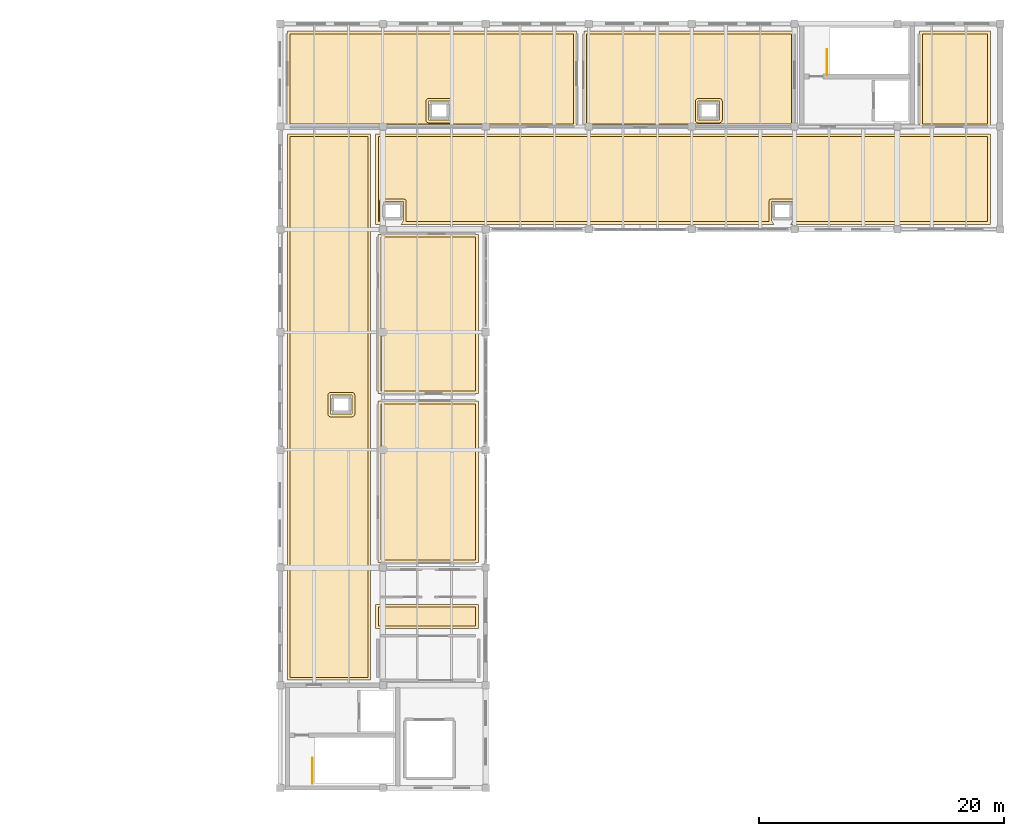
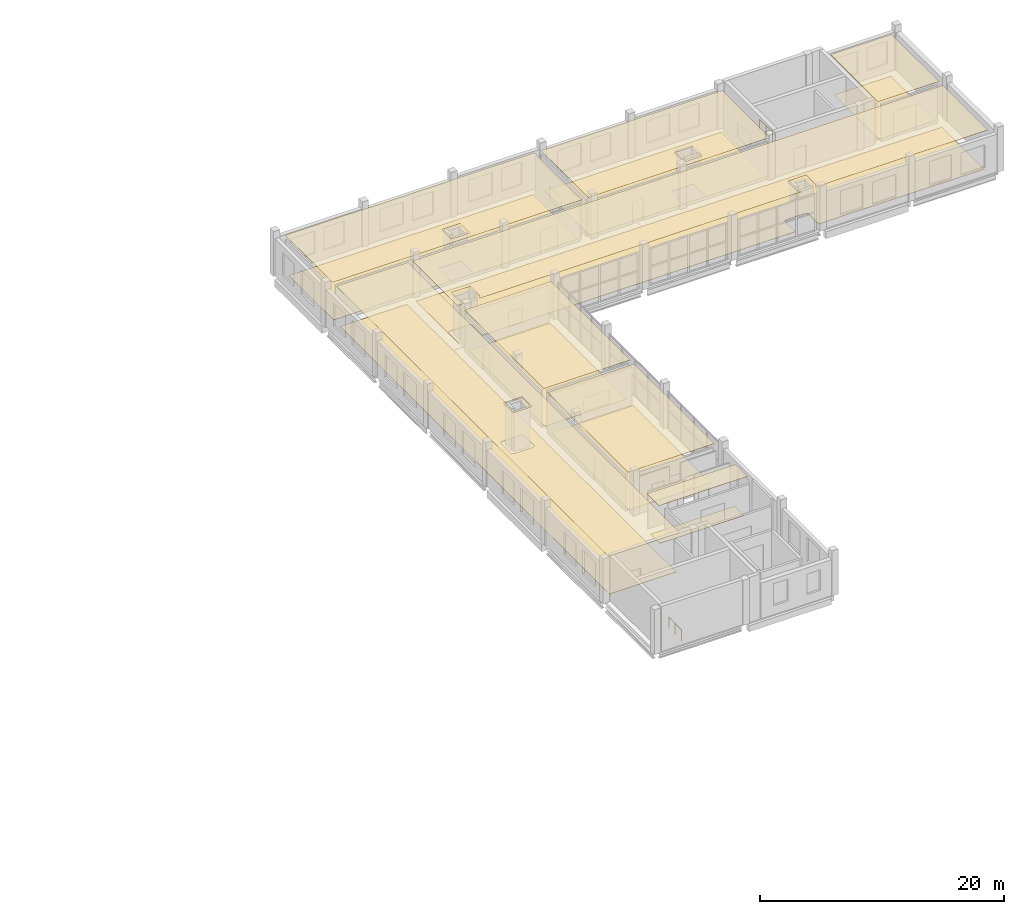
# One storey, part 54 of 54: 16 coverings, 2 railings.
"""IFC4 building model written with IfcOpenShell, lengths in metres."""

import ifcopenshell
import ifcopenshell.guid

model = None  # the IFC model being written
_history = None  # IfcOwnerHistory: only IFC2X3 demands one
_inside = {}  # id of a spatial element -> (the spatial element, [elements in it])
_under = {}  # id of a project, library or spatial element -> (it, [spatial elements below it])
_declared = {}  # id of a project -> (the project, [libraries it declares])
_typed = {}  # id of a type object -> (the type object, [elements of that type])
_made_of = {}  # id of a material, layer set ... -> (it, [elements and type objects made of it])


def new_model(schema):
    """Start an empty IFC model of exactly this schema.

    Asked for "IFC4X3", IfcOpenShell would pick the latest addendum, in which some entities
    have other attributes; the version numbers below select the first issue.
    IFC2X3 requires an IfcOwnerHistory on every rooted entity: one is made here for all.
    """
    global model, _history
    if schema == "IFC4X3":
        model = ifcopenshell.file(schema_version=(4, 3, 0, 0))
    else:
        model = ifcopenshell.file(schema=schema)
    _inside.clear()
    _under.clear()
    _declared.clear()
    _typed.clear()
    _made_of.clear()
    _history = None
    if model.schema == "IFC2X3":
        org = make("IfcOrganization", Name="unknown")
        user = make(
            "IfcPersonAndOrganization",
            ThePerson=make("IfcPerson", FamilyName="unknown"),
            TheOrganization=org,
        )
        app = make(
            "IfcApplication",
            ApplicationDeveloper=org,
            Version="unknown",
            ApplicationFullName="unknown",
            ApplicationIdentifier="unknown",
        )
        _history = make(
            "IfcOwnerHistory",
            OwningUser=user,
            OwningApplication=app,
            ChangeAction="ADDED",
            CreationDate=0,
        )
    return model


def make(cls, **values):
    """One entity of the class cls with the attributes given. An attribute that is None is left unset."""
    return model.create_entity(
        cls, **{name: value for name, value in values.items() if value is not None}
    )


def rooted(cls, **values):
    """An entity with a GlobalId (a new one), such as an element, a storey or a relation."""
    return make(cls, GlobalId=ifcopenshell.guid.new(), OwnerHistory=_history, **values)


def si_unit(unit_type, name, prefix=None):
    """IfcSIUnit, for example si_unit("LENGTHUNIT", "METRE", prefix="MILLI")."""
    return make("IfcSIUnit", UnitType=unit_type, Prefix=prefix, Name=name)


def assignment(units):
    """IfcUnitAssignment: the units of a project."""
    return None if units is None else make("IfcUnitAssignment", Units=units)


def point(xyz):
    """IfcCartesianPoint."""
    return None if xyz is None else make("IfcCartesianPoint", Coordinates=xyz)


def direction(xyz):
    """IfcDirection."""
    return None if xyz is None else make("IfcDirection", DirectionRatios=xyz)


def frame(location, z_axis=None, x_axis=None):
    """IfcAxis2Placement3D, a coordinate frame: its origin and axes. An axis left out is left unset."""
    return make(
        "IfcAxis2Placement3D",
        Location=point(location),
        Axis=direction(z_axis),
        RefDirection=direction(x_axis),
    )


def frame_2d(location, x_axis=None):
    """IfcAxis2Placement2D, a coordinate frame in the plane: its origin and x axis."""
    return make(
        "IfcAxis2Placement2D", Location=point(location), RefDirection=direction(x_axis)
    )


def origin():
    """The frame at (0, 0, 0) with its axes left unset."""
    return frame((0.0, 0.0, 0.0))


def origin_2d():
    """The frame at (0, 0) in the plane with its x axis left unset."""
    return frame_2d((0.0, 0.0))


def place(relative_to, where):
    """IfcLocalPlacement: puts the frame where relative to a parent placement (None: the world)."""
    return make(
        "IfcLocalPlacement", PlacementRelTo=relative_to, RelativePlacement=where
    )


def context(
    kind, dimensions, precision=None, world=None, true_north=None, identifier=None
):
    """IfcGeometricRepresentationContext, for example the 3D "Model" context."""
    return make(
        "IfcGeometricRepresentationContext",
        ContextIdentifier=identifier,
        ContextType=kind,
        CoordinateSpaceDimension=dimensions,
        Precision=precision,
        WorldCoordinateSystem=world,
        TrueNorth=true_north,
    )


def subcontext(parent, identifier, kind, view, scale=None):
    """IfcGeometricRepresentationSubContext, for example "Body" below "Model"."""
    return make(
        "IfcGeometricRepresentationSubContext",
        ContextIdentifier=identifier,
        ContextType=kind,
        ParentContext=parent,
        TargetScale=scale,
        TargetView=view,
    )


def project(units=None, contexts=None):
    """IfcProject with its units and contexts."""
    return rooted(
        "IfcProject",
        Name="project",
        RepresentationContexts=contexts,
        UnitsInContext=assignment(units),
    )


def spatial(cls, under=None, at=None, **own):
    """A site, building, storey or space (cls), placed at a placement, below another one or the project."""
    s = rooted(cls, ObjectPlacement=at, **own)
    if under is not None:
        _under.setdefault(under.id(), (under, []))[1].append(s)
    return s


def polyline(points):
    """IfcPolyline through the points."""
    return make("IfcPolyline", Points=[point(p) for p in points])


def profile(cls, at=None, kind="AREA", **sizes):
    """A parametric profile (cls). Its sizes go by their IFC names, for example OverallWidth=200.0."""
    return make(cls, ProfileType=kind, Position=at, **sizes)


def circle(**sizes):
    """IfcCircleProfileDef."""
    return profile("IfcCircleProfileDef", **sizes)


def outline(outer, holes=None, kind="AREA"):
    """IfcArbitraryClosedProfileDef: a profile drawn as a closed curve; with holes, ...WithVoids."""
    if holes is None:
        return make("IfcArbitraryClosedProfileDef", ProfileType=kind, OuterCurve=outer)
    return make(
        "IfcArbitraryProfileDefWithVoids",
        ProfileType=kind,
        OuterCurve=outer,
        InnerCurves=holes,
    )


def extrude(swept, where, along, depth):
    """IfcExtrudedAreaSolid: the profile swept, set in the frame where, extruded along a direction by depth."""
    return make(
        "IfcExtrudedAreaSolid",
        SweptArea=swept,
        Position=where,
        ExtrudedDirection=direction(along),
        Depth=depth,
    )


def shape(context_of_items, identifier, shape_type, items):
    """IfcShapeRepresentation: the items that make up one representation, for example the "Body"."""
    return make(
        "IfcShapeRepresentation",
        ContextOfItems=context_of_items,
        RepresentationIdentifier=identifier,
        RepresentationType=shape_type,
        Items=items,
    )


def material(Name=None, Category=None):
    """IfcMaterial."""
    return make("IfcMaterial", Name=Name, Category=Category)


def layer(
    of_material, thickness, ventilated=None, Name=None, Category=None, Priority=None
):
    """IfcMaterialLayer: one layer of a wall or slab, of a material (None: an air gap)."""
    return make(
        "IfcMaterialLayer",
        Material=of_material,
        LayerThickness=thickness,
        IsVentilated=ventilated,
        Name=Name,
        Category=Category,
        Priority=Priority,
    )


def layer_set(layers, Name=None):
    """IfcMaterialLayerSet."""
    return make("IfcMaterialLayerSet", MaterialLayers=layers, LayerSetName=Name)


def made_of(thing, what):
    """Note that an element or type object is made of a material, layer set ...; save() writes the relation."""
    if what is not None:
        _made_of.setdefault(what.id(), (what, []))[1].append(thing)
    return thing


def type_object(cls, material=None, **own):
    """A type object (cls), such as IfcWallType, which elements share."""
    return made_of(rooted(cls, **own), material)


def element(
    cls,
    number,
    at=None,
    inside=None,
    cuts=None,
    type_object=None,
    material=None,
    context=None,
    identifier="Body",
    shape_type=None,
    held_by="IfcProductDefinitionShape",
    body=None,
    shapes=None,
    **own,
):
    """One element of the class cls, such as IfcWall. Its Tag is "e" and its number.

    at: its placement. inside: the storey or other place that contains it. cuts: it is an
    opening in that element (IfcRelVoidsElement). A single representation is given by context,
    identifier, shape_type and body (its items); several are given by shapes. held_by: the class
    of the entity that holds the representations. save() writes the other relations.
    """
    e = rooted(cls, Tag="e%d" % number, ObjectPlacement=at, **own)
    if body is not None:
        shapes = [shape(context, identifier, shape_type, body)]
    if shapes is not None:
        e.Representation = make(held_by, Representations=shapes)
    if inside is not None:
        _inside.setdefault(inside.id(), (inside, []))[1].append(e)
    if cuts is not None:
        rooted(
            "IfcRelVoidsElement", RelatingBuildingElement=cuts, RelatedOpeningElement=e
        )
    if type_object is not None:
        _typed.setdefault(type_object.id(), (type_object, []))[1].append(e)
    return made_of(e, material)


def aggregate(whole, parts):
    """IfcRelAggregates: a whole, such as a stair, and the parts it consists of."""
    return rooted("IfcRelAggregates", RelatingObject=whole, RelatedObjects=parts)


def save(model, path):
    """Write the relations noted so far, then the file.

    IfcRelAggregates (storeys below a building ...), IfcRelContainedInSpatialStructure (elements
    in a storey), IfcRelDefinesByType, IfcRelAssociatesMaterial and IfcRelDeclares: one each for
    every whole, place, type object, material and project.
    """
    for whole, parts in _under.values():
        aggregate(whole, parts)
    for where, things in _inside.values():
        rooted(
            "IfcRelContainedInSpatialStructure",
            RelatedElements=things,
            RelatingStructure=where,
        )
    for kind, things in _typed.values():
        rooted("IfcRelDefinesByType", RelatedObjects=things, RelatingType=kind)
    for what, things in _made_of.values():
        rooted("IfcRelAssociatesMaterial", RelatedObjects=things, RelatingMaterial=what)
    for by, libraries in _declared.values():
        rooted("IfcRelDeclares", RelatingContext=by, RelatedDefinitions=libraries)
    model.write(path)


model = new_model("IFC4")

# Units and contexts
model_context = context("Model", 3, precision=1e-05, world=origin(), true_north=direction((0.0, 1.0)))
body_context = subcontext(model_context, "Body", "Model", "MODEL_VIEW")
ifc_project = project(units=[si_unit("LENGTHUNIT", "METRE"), si_unit("AREAUNIT", "SQUARE_METRE"), si_unit("VOLUMEUNIT", "CUBIC_METRE"), si_unit("PLANEANGLEUNIT", "RADIAN"), si_unit("MASSUNIT", "GRAM", prefix="KILO")], contexts=[model_context])

# Site, building, storey
site_placement = place(None, origin())
site = spatial("IfcSite", under=ifc_project, at=site_placement, CompositionType="ELEMENT")
building_placement = place(site_placement, origin())
building = spatial("IfcBuilding", under=site, at=building_placement, Name="Zulmaris Art Gallery", CompositionType="ELEMENT")
storey_placement = place(building_placement, frame((0.0, 0.0, 26.39990234375)))
storey = spatial("IfcBuildingStorey", under=building, at=storey_placement, Name="L05", CompositionType="ELEMENT", Elevation=26.39990234375)

# Coverings
ifc_material_1 = material(Name="Micro-Perforated Gypsum Acoustic Ceiling", Category="gypsum")
ifc_layer_1 = layer(ifc_material_1, 0.02490234375)
ifc_layer_set_1 = layer_set([ifc_layer_1], Name="Micro-Perforated Gypsum Acoustic Ceiling")
covering_type_1 = type_object("IfcCoveringType", Name="COV-CL01", PredefinedType="CEILING", material=ifc_layer_set_1)
covering_1_placement = place(storey_placement, frame((0.0, 0.0, 3.97998046875)))
element("IfcCovering", 1, at=covering_1_placement, inside=storey, type_object=covering_type_1, Name="L05 Upper Studios West Corridor acoustic ceiling", PredefinedType="CEILING", context=body_context, shape_type="SweptSolid", body=[
    extrude(outline(polyline([(142.2099609375, 66.590087890625), (148.989990234375, 66.590087890625), (148.989990234375, 22.010009765625), (142.2099609375, 22.010009765625), (142.2099609375, 66.590087890625)]), holes=[polyline([(145.741455078125, 45.278564453125), (145.738525390625, 45.277587890625), (145.736083984375, 45.276123046875), (145.7333984375, 45.274658203125), (145.731201171875, 45.27294921875), (145.72900390625, 45.27099609375), (145.72705078125, 45.268798828125), (145.725341796875, 45.2666015625), (145.723876953125, 45.263916015625), (145.722412109375, 45.261474609375), (145.721435546875, 45.258544921875), (145.720703125, 45.255859375), (145.720458984375, 45.2529296875), (145.719970703125, 45.24462890625), (145.719970703125, 43.75537109375), (145.720458984375, 43.7470703125), (145.720703125, 43.744140625), (145.721435546875, 43.741455078125), (145.722412109375, 43.738525390625), (145.723876953125, 43.736083984375), (145.725341796875, 43.7333984375), (145.72705078125, 43.731201171875), (145.72900390625, 43.72900390625), (145.731201171875, 43.72705078125), (145.7333984375, 43.725341796875), (145.736083984375, 43.723876953125), (145.738525390625, 43.722412109375), (145.741455078125, 43.721435546875), (145.744140625, 43.720703125), (145.7470703125, 43.720458984375), (145.75537109375, 43.719970703125), (147.444580078125, 43.719970703125), (147.452880859375, 43.720458984375), (147.455810546875, 43.720703125), (147.45849609375, 43.721435546875), (147.46142578125, 43.722412109375), (147.464111328125, 43.723876953125), (147.466552734375, 43.725341796875), (147.468994140625, 43.72705078125), (147.470947265625, 43.72900390625), (147.472900390625, 43.731201171875), (147.474609375, 43.7333984375), (147.476318359375, 43.736083984375), (147.4775390625, 43.738525390625), (147.478515625, 43.741455078125), (147.479248046875, 43.744140625), (147.4794921875, 43.7470703125), (147.47998046875, 43.75537109375), (147.47998046875, 45.24462890625), (147.4794921875, 45.2529296875), (147.479248046875, 45.255859375), (147.478515625, 45.258544921875), (147.4775390625, 45.261474609375), (147.476318359375, 45.263916015625), (147.474609375, 45.2666015625), (147.472900390625, 45.268798828125), (147.470947265625, 45.27099609375), (147.468994140625, 45.27294921875), (147.466552734375, 45.274658203125), (147.464111328125, 45.276123046875), (147.46142578125, 45.277587890625), (147.45849609375, 45.278564453125), (147.455810546875, 45.279296875), (147.452880859375, 45.279541015625), (147.444580078125, 45.280029296875), (145.75537109375, 45.280029296875), (145.7470703125, 45.279541015625), (145.744140625, 45.279296875), (145.741455078125, 45.278564453125)])]), origin(), (0.0, 0.0, 1.0), 0.030029296875),
])
covering_2_placement = place(storey_placement, frame((0.0, 0.0, 3.97998046875)))
element("IfcCovering", 2, at=covering_2_placement, inside=storey, type_object=covering_type_1, Name="L05 Upper Studios North Corridor acoustic ceiling", PredefinedType="CEILING", context=body_context, shape_type="SweptSolid", body=[
    extrude(outline(polyline([(199.590087890625, 66.590087890625), (199.590087890625, 59.2099609375), (183.28076171875, 59.2099609375), (183.476318359375, 59.535888671875), (183.4775390625, 59.53857421875), (183.478515625, 59.54150390625), (183.479248046875, 59.544189453125), (183.4794921875, 59.547119140625), (183.47998046875, 59.555419921875), (183.47998046875, 61.044677734375), (183.4794921875, 61.052978515625), (183.479248046875, 61.055908203125), (183.478515625, 61.05859375), (183.4775390625, 61.061279296875), (183.476318359375, 61.06396484375), (183.474609375, 61.06640625), (183.472900390625, 61.06884765625), (183.470947265625, 61.071044921875), (183.468994140625, 61.072998046875), (183.466552734375, 61.07470703125), (183.464111328125, 61.076171875), (183.46142578125, 61.077392578125), (183.45849609375, 61.07861328125), (183.455810546875, 61.0791015625), (183.452880859375, 61.07958984375), (183.444580078125, 61.080078125), (181.75537109375, 61.080078125), (181.7470703125, 61.07958984375), (181.744140625, 61.0791015625), (181.741455078125, 61.07861328125), (181.738525390625, 61.077392578125), (181.736083984375, 61.076171875), (181.7333984375, 61.07470703125), (181.731201171875, 61.072998046875), (181.72900390625, 61.071044921875), (181.72705078125, 61.06884765625), (181.725341796875, 61.06640625), (181.723876953125, 61.06396484375), (181.722412109375, 61.061279296875), (181.721435546875, 61.05859375), (181.720703125, 61.055908203125), (181.720458984375, 61.052978515625), (181.719970703125, 61.044677734375), (181.719970703125, 59.555419921875), (181.720458984375, 59.547119140625), (181.720703125, 59.544189453125), (181.721435546875, 59.54150390625), (181.722412109375, 59.53857421875), (181.723876953125, 59.535888671875), (181.919189453125, 59.2099609375), (151.480712890625, 59.2099609375), (151.67626953125, 59.535888671875), (151.677490234375, 59.53857421875), (151.678466796875, 59.54150390625), (151.67919921875, 59.544189453125), (151.6796875, 59.547119140625), (151.679931640625, 59.555419921875), (151.679931640625, 61.044677734375), (151.6796875, 61.052978515625), (151.67919921875, 61.055908203125), (151.678466796875, 61.05859375), (151.677490234375, 61.061279296875), (151.67626953125, 61.06396484375), (151.6748046875, 61.06640625), (151.673095703125, 61.06884765625), (151.6708984375, 61.071044921875), (151.6689453125, 61.072998046875), (151.66650390625, 61.07470703125), (151.6640625, 61.076171875), (151.661376953125, 61.077392578125), (151.65869140625, 61.07861328125), (151.65576171875, 61.0791015625), (151.65283203125, 61.07958984375), (151.64453125, 61.080078125), (149.955322265625, 61.080078125), (149.947021484375, 61.07958984375), (149.944091796875, 61.0791015625), (149.94140625, 61.07861328125), (149.938720703125, 61.077392578125), (149.93603515625, 61.076171875), (149.93359375, 61.07470703125), (149.93115234375, 61.072998046875), (149.928955078125, 61.071044921875), (149.927001953125, 61.06884765625), (149.92529296875, 61.06640625), (149.923828125, 61.06396484375), (149.922607421875, 61.061279296875), (149.92138671875, 61.05859375), (149.9208984375, 61.055908203125), (149.92041015625, 61.052978515625), (149.919921875, 61.044677734375), (149.919921875, 59.555419921875), (149.92041015625, 59.547119140625), (149.9208984375, 59.544189453125), (149.92138671875, 59.54150390625), (149.922607421875, 59.53857421875), (149.923828125, 59.535888671875), (150.119140625, 59.2099609375), (149.409912109375, 59.2099609375), (149.409912109375, 66.590087890625), (199.590087890625, 66.590087890625)])), origin(), (0.0, 0.0, 1.0), 0.030029296875),
])
covering_3_placement = place(storey_placement, frame((0.0, 0.0, 3.97998046875)))
element("IfcCovering", 3, at=covering_3_placement, inside=storey, type_object=covering_type_1, Name="Resident Artists' Studio 5 (Large Format) acoustic ceiling", PredefinedType="CEILING", context=body_context, shape_type="SweptSolid", body=[
    extrude(outline(polyline([(142.2099609375, 74.989990234375), (165.7900390625, 74.989990234375), (165.7900390625, 67.2099609375), (142.2099609375, 67.2099609375), (142.2099609375, 74.989990234375)]), holes=[polyline([(153.721435546875, 67.741455078125), (153.722412109375, 67.738525390625), (153.723876953125, 67.736083984375), (153.725341796875, 67.7333984375), (153.72705078125, 67.731201171875), (153.72900390625, 67.72900390625), (153.731201171875, 67.72705078125), (153.7333984375, 67.725341796875), (153.736083984375, 67.723876953125), (153.738525390625, 67.722412109375), (153.741455078125, 67.721435546875), (153.744140625, 67.720703125), (153.7470703125, 67.720458984375), (153.75537109375, 67.719970703125), (155.444580078125, 67.719970703125), (155.452880859375, 67.720458984375), (155.455810546875, 67.720703125), (155.45849609375, 67.721435546875), (155.46142578125, 67.722412109375), (155.464111328125, 67.723876953125), (155.466552734375, 67.725341796875), (155.468994140625, 67.72705078125), (155.470947265625, 67.72900390625), (155.472900390625, 67.731201171875), (155.474609375, 67.7333984375), (155.476318359375, 67.736083984375), (155.4775390625, 67.738525390625), (155.478515625, 67.741455078125), (155.479248046875, 67.744140625), (155.4794921875, 67.7470703125), (155.47998046875, 67.75537109375), (155.47998046875, 69.24462890625), (155.4794921875, 69.2529296875), (155.479248046875, 69.255859375), (155.478515625, 69.258544921875), (155.4775390625, 69.261474609375), (155.476318359375, 69.263916015625), (155.474609375, 69.2666015625), (155.472900390625, 69.268798828125), (155.470947265625, 69.27099609375), (155.468994140625, 69.27294921875), (155.466552734375, 69.274658203125), (155.464111328125, 69.276123046875), (155.46142578125, 69.277587890625), (155.45849609375, 69.278564453125), (155.455810546875, 69.279296875), (155.452880859375, 69.279541015625), (155.444580078125, 69.280029296875), (153.75537109375, 69.280029296875), (153.7470703125, 69.279541015625), (153.744140625, 69.279296875), (153.741455078125, 69.278564453125), (153.738525390625, 69.277587890625), (153.736083984375, 69.276123046875), (153.7333984375, 69.274658203125), (153.731201171875, 69.27294921875), (153.72900390625, 69.27099609375), (153.72705078125, 69.268798828125), (153.725341796875, 69.2666015625), (153.723876953125, 69.263916015625), (153.722412109375, 69.261474609375), (153.721435546875, 69.258544921875), (153.720703125, 69.255859375), (153.720458984375, 69.2529296875), (153.719970703125, 69.24462890625), (153.719970703125, 67.75537109375), (153.720458984375, 67.7470703125), (153.720703125, 67.744140625), (153.721435546875, 67.741455078125)])]), origin(), (0.0, 0.0, 1.0), 0.030029296875),
])
covering_4_placement = place(storey_placement, frame((0.0, 0.0, 3.97998046875)))
element("IfcCovering", 4, at=covering_4_placement, inside=storey, type_object=covering_type_1, Name="Resident Artists' Studio 6 (Textile & Loom) acoustic ceiling", PredefinedType="CEILING", context=body_context, shape_type="SweptSolid", body=[
    extrude(outline(polyline([(166.409912109375, 74.989990234375), (183.590087890625, 74.989990234375), (183.590087890625, 67.2099609375), (166.409912109375, 67.2099609375), (166.409912109375, 74.989990234375)]), holes=[polyline([(175.741455078125, 69.278564453125), (175.738525390625, 69.277587890625), (175.736083984375, 69.276123046875), (175.7333984375, 69.274658203125), (175.731201171875, 69.27294921875), (175.72900390625, 69.27099609375), (175.72705078125, 69.268798828125), (175.725341796875, 69.2666015625), (175.723876953125, 69.263916015625), (175.722412109375, 69.261474609375), (175.721435546875, 69.258544921875), (175.720703125, 69.255859375), (175.720458984375, 69.2529296875), (175.719970703125, 69.24462890625), (175.719970703125, 67.75537109375), (175.720458984375, 67.7470703125), (175.720703125, 67.744140625), (175.721435546875, 67.741455078125), (175.722412109375, 67.738525390625), (175.723876953125, 67.736083984375), (175.725341796875, 67.7333984375), (175.72705078125, 67.731201171875), (175.72900390625, 67.72900390625), (175.731201171875, 67.72705078125), (175.7333984375, 67.725341796875), (175.736083984375, 67.723876953125), (175.738525390625, 67.722412109375), (175.741455078125, 67.721435546875), (175.744140625, 67.720703125), (175.7470703125, 67.720458984375), (175.75537109375, 67.719970703125), (177.444580078125, 67.719970703125), (177.452880859375, 67.720458984375), (177.455810546875, 67.720703125), (177.45849609375, 67.721435546875), (177.46142578125, 67.722412109375), (177.464111328125, 67.723876953125), (177.466552734375, 67.725341796875), (177.468994140625, 67.72705078125), (177.470947265625, 67.72900390625), (177.472900390625, 67.731201171875), (177.474609375, 67.7333984375), (177.476318359375, 67.736083984375), (177.4775390625, 67.738525390625), (177.478515625, 67.741455078125), (177.479248046875, 67.744140625), (177.4794921875, 67.7470703125), (177.47998046875, 67.75537109375), (177.47998046875, 69.24462890625), (177.4794921875, 69.2529296875), (177.479248046875, 69.255859375), (177.478515625, 69.258544921875), (177.4775390625, 69.261474609375), (177.476318359375, 69.263916015625), (177.474609375, 69.2666015625), (177.472900390625, 69.268798828125), (177.470947265625, 69.27099609375), (177.468994140625, 69.27294921875), (177.466552734375, 69.274658203125), (177.464111328125, 69.276123046875), (177.46142578125, 69.277587890625), (177.45849609375, 69.278564453125), (177.455810546875, 69.279296875), (177.452880859375, 69.279541015625), (177.444580078125, 69.280029296875), (175.75537109375, 69.280029296875), (175.7470703125, 69.279541015625), (175.744140625, 69.279296875), (175.741455078125, 69.278564453125)])]), origin(), (0.0, 0.0, 1.0), 0.030029296875),
])
covering_5_placement = place(storey_placement, frame((0.0, 0.0, 3.97998046875)))
element("IfcCovering", 5, at=covering_5_placement, inside=storey, type_object=covering_type_1, Name="Visiting Curators' Fellowship Library acoustic ceiling", PredefinedType="CEILING", context=body_context, shape_type="SweptSolid", body=[
    extrude(outline(polyline([(149.610107421875, 58.389892578125), (157.7900390625, 58.389892578125), (157.7900390625, 45.409912109375), (149.610107421875, 45.409912109375), (149.610107421875, 58.389892578125)])), origin(), (0.0, 0.0, 1.0), 0.030029296875),
])
covering_6_placement = place(storey_placement, frame((0.0, 0.0, 3.97998046875)))
element("IfcCovering", 6, at=covering_6_placement, inside=storey, type_object=covering_type_1, Name="Symposium & Critique Lecture Room acoustic ceiling", PredefinedType="CEILING", context=body_context, shape_type="SweptSolid", body=[
    extrude(outline(polyline([(149.610107421875, 44.7900390625), (157.7900390625, 44.7900390625), (157.7900390625, 31.610107421875), (149.610107421875, 31.610107421875), (149.610107421875, 44.7900390625)])), origin(), (0.0, 0.0, 1.0), 0.030029296875),
])
covering_7_placement = place(storey_placement, frame((0.0, 0.0, 3.97998046875)))
element("IfcCovering", 7, at=covering_7_placement, inside=storey, type_object=covering_type_1, Name="Artists' Common Kitchen & Dining Room acoustic ceiling", PredefinedType="CEILING", context=body_context, shape_type="SweptSolid", body=[
    extrude(outline(polyline([(193.81005859375, 74.989990234375), (199.590087890625, 74.989990234375), (199.590087890625, 67.2099609375), (193.81005859375, 67.2099609375), (193.81005859375, 74.989990234375)])), origin(), (0.0, 0.0, 1.0), 0.030029296875),
])
covering_8_placement = place(storey_placement, frame((0.0, 0.0, 3.97998046875)))
element("IfcCovering", 8, at=covering_8_placement, inside=storey, type_object=covering_type_1, Name="L05 South-West WC Lobby acoustic ceiling", PredefinedType="CEILING", context=body_context, shape_type="SweptSolid", body=[
    extrude(outline(polyline([(149.409912109375, 28.18994140625), (157.7900390625, 28.18994140625), (157.7900390625, 26.2099609375), (149.409912109375, 26.2099609375), (149.409912109375, 28.18994140625)])), origin(), (0.0, 0.0, 1.0), 0.030029296875),
])
ifc_material_2 = material(Name="Honed Omani Limestone Terrazzo Flooring", Category="masonry")
ifc_layer_2 = layer(ifc_material_2, 0.0400390625)
ifc_layer_set_2 = layer_set([ifc_layer_2], Name="Honed Omani Limestone Terrazzo Flooring")
covering_type_2 = type_object("IfcCoveringType", Name="COV-FL01", PredefinedType="FLOORING", material=ifc_layer_set_2)
covering_9_placement = place(storey_placement, origin())
element("IfcCovering", 9, at=covering_9_placement, inside=storey, type_object=covering_type_2, Name="L05 Upper Studios West Corridor finish flooring", PredefinedType="FLOORING", context=body_context, shape_type="SweptSolid", body=[
    extrude(outline(polyline([(148.77001953125, 22.22998046875), (142.429931640625, 22.22998046875), (142.429931640625, 66.3701171875), (148.77001953125, 66.3701171875), (148.77001953125, 22.22998046875)]), holes=[polyline([(145.7255859375, 45.498779296875), (145.701171875, 45.4951171875), (145.677490234375, 45.4892578125), (145.654296875, 45.48095703125), (145.632080078125, 45.470458984375), (145.611083984375, 45.4580078125), (145.59130859375, 45.443359375), (145.5732421875, 45.4267578125), (145.556640625, 45.40869140625), (145.5419921875, 45.388916015625), (145.529541015625, 45.367919921875), (145.51904296875, 45.345703125), (145.5107421875, 45.322509765625), (145.5048828125, 45.298828125), (145.501220703125, 45.2744140625), (145.5, 45.25), (145.5, 43.75), (145.501220703125, 43.7255859375), (145.5048828125, 43.701171875), (145.5107421875, 43.677490234375), (145.51904296875, 43.654296875), (145.529541015625, 43.632080078125), (145.5419921875, 43.611083984375), (145.556640625, 43.59130859375), (145.5732421875, 43.5732421875), (145.59130859375, 43.556640625), (145.611083984375, 43.5419921875), (145.632080078125, 43.529541015625), (145.654296875, 43.51904296875), (145.677490234375, 43.5107421875), (145.701171875, 43.5048828125), (145.7255859375, 43.501220703125), (145.75, 43.5), (147.449951171875, 43.5), (147.474609375, 43.501220703125), (147.498779296875, 43.5048828125), (147.522705078125, 43.5107421875), (147.545654296875, 43.51904296875), (147.56787109375, 43.529541015625), (147.5888671875, 43.5419921875), (147.608642578125, 43.556640625), (147.626708984375, 43.5732421875), (147.643310546875, 43.59130859375), (147.657958984375, 43.611083984375), (147.67041015625, 43.632080078125), (147.680908203125, 43.654296875), (147.689208984375, 43.677490234375), (147.6953125, 43.701171875), (147.69873046875, 43.7255859375), (147.699951171875, 43.75), (147.699951171875, 45.25), (147.69873046875, 45.2744140625), (147.6953125, 45.298828125), (147.689208984375, 45.322509765625), (147.680908203125, 45.345703125), (147.67041015625, 45.367919921875), (147.657958984375, 45.388916015625), (147.643310546875, 45.40869140625), (147.626708984375, 45.4267578125), (147.608642578125, 45.443359375), (147.5888671875, 45.4580078125), (147.56787109375, 45.470458984375), (147.545654296875, 45.48095703125), (147.522705078125, 45.4892578125), (147.498779296875, 45.4951171875), (147.474609375, 45.498779296875), (147.449951171875, 45.5), (145.75, 45.5), (145.7255859375, 45.498779296875)])]), origin(), (0.0, 0.0, 1.0), 0.03515625),
])
covering_10_placement = place(storey_placement, origin())
element("IfcCovering", 10, at=covering_10_placement, inside=storey, type_object=covering_type_2, Name="L05 Upper Studios North Corridor finish flooring", PredefinedType="FLOORING", context=body_context, shape_type="SweptSolid", body=[
    extrude(outline(polyline([(149.6298828125, 59.429931640625), (149.6298828125, 66.3701171875), (199.3701171875, 66.3701171875), (199.3701171875, 59.429931640625), (183.669189453125, 59.429931640625), (183.67041015625, 59.43212890625), (183.680908203125, 59.454345703125), (183.689208984375, 59.477294921875), (183.6953125, 59.501220703125), (183.69873046875, 59.525390625), (183.699951171875, 59.550048828125), (183.699951171875, 61.050048828125), (183.69873046875, 61.074462890625), (183.6953125, 61.098876953125), (183.689208984375, 61.12255859375), (183.680908203125, 61.145751953125), (183.67041015625, 61.167724609375), (183.657958984375, 61.18896484375), (183.643310546875, 61.20849609375), (183.626708984375, 61.226806640625), (183.608642578125, 61.243408203125), (183.5888671875, 61.2578125), (183.56787109375, 61.2705078125), (183.545654296875, 61.281005859375), (183.522705078125, 61.289306640625), (183.498779296875, 61.295166015625), (183.474609375, 61.298828125), (183.449951171875, 61.300048828125), (181.75, 61.300048828125), (181.7255859375, 61.298828125), (181.701171875, 61.295166015625), (181.677490234375, 61.289306640625), (181.654296875, 61.281005859375), (181.632080078125, 61.2705078125), (181.611083984375, 61.2578125), (181.59130859375, 61.243408203125), (181.5732421875, 61.226806640625), (181.556640625, 61.20849609375), (181.5419921875, 61.18896484375), (181.529541015625, 61.167724609375), (181.51904296875, 61.145751953125), (181.5107421875, 61.12255859375), (181.5048828125, 61.098876953125), (181.501220703125, 61.074462890625), (181.5, 61.050048828125), (181.5, 59.550048828125), (181.501220703125, 59.525390625), (181.5048828125, 59.501220703125), (181.5107421875, 59.477294921875), (181.51904296875, 59.454345703125), (181.529541015625, 59.43212890625), (181.53076171875, 59.429931640625), (151.869140625, 59.429931640625), (151.87060546875, 59.43212890625), (151.881103515625, 59.454345703125), (151.88916015625, 59.477294921875), (151.895263671875, 59.501220703125), (151.898681640625, 59.525390625), (151.89990234375, 59.550048828125), (151.89990234375, 61.050048828125), (151.898681640625, 61.074462890625), (151.895263671875, 61.098876953125), (151.88916015625, 61.12255859375), (151.881103515625, 61.145751953125), (151.87060546875, 61.167724609375), (151.85791015625, 61.18896484375), (151.84326171875, 61.20849609375), (151.826904296875, 61.226806640625), (151.80859375, 61.243408203125), (151.788818359375, 61.2578125), (151.767822265625, 61.2705078125), (151.74560546875, 61.281005859375), (151.72265625, 61.289306640625), (151.69873046875, 61.295166015625), (151.674560546875, 61.298828125), (151.64990234375, 61.300048828125), (149.949951171875, 61.300048828125), (149.925537109375, 61.298828125), (149.901123046875, 61.295166015625), (149.87744140625, 61.289306640625), (149.854248046875, 61.281005859375), (149.832275390625, 61.2705078125), (149.81103515625, 61.2578125), (149.79150390625, 61.243408203125), (149.773193359375, 61.226806640625), (149.756591796875, 61.20849609375), (149.7421875, 61.18896484375), (149.7294921875, 61.167724609375), (149.718994140625, 61.145751953125), (149.710693359375, 61.12255859375), (149.704833984375, 61.098876953125), (149.701171875, 61.074462890625), (149.699951171875, 61.050048828125), (149.699951171875, 59.550048828125), (149.701171875, 59.525390625), (149.704833984375, 59.501220703125), (149.710693359375, 59.477294921875), (149.718994140625, 59.454345703125), (149.7294921875, 59.43212890625), (149.730712890625, 59.429931640625), (149.6298828125, 59.429931640625)])), origin(), (0.0, 0.0, 1.0), 0.03515625),
])
covering_11_placement = place(storey_placement, origin())
element("IfcCovering", 11, at=covering_11_placement, inside=storey, type_object=covering_type_2, Name="Resident Artists' Studio 5 (Large Format) finish flooring", PredefinedType="FLOORING", context=body_context, shape_type="SweptSolid", body=[
    extrude(outline(polyline([(165.570068359375, 67.429931640625), (142.429931640625, 67.429931640625), (142.429931640625, 74.77001953125), (165.570068359375, 74.77001953125), (165.570068359375, 67.429931640625)]), holes=[polyline([(153.501220703125, 67.7255859375), (153.5048828125, 67.701171875), (153.5107421875, 67.677490234375), (153.51904296875, 67.654296875), (153.529541015625, 67.632080078125), (153.5419921875, 67.611083984375), (153.556640625, 67.59130859375), (153.5732421875, 67.5732421875), (153.59130859375, 67.556640625), (153.611083984375, 67.5419921875), (153.632080078125, 67.529541015625), (153.654296875, 67.51904296875), (153.677490234375, 67.5107421875), (153.701171875, 67.5048828125), (153.7255859375, 67.501220703125), (153.75, 67.5), (155.449951171875, 67.5), (155.474609375, 67.501220703125), (155.498779296875, 67.5048828125), (155.522705078125, 67.5107421875), (155.545654296875, 67.51904296875), (155.56787109375, 67.529541015625), (155.5888671875, 67.5419921875), (155.608642578125, 67.556640625), (155.626708984375, 67.5732421875), (155.643310546875, 67.59130859375), (155.657958984375, 67.611083984375), (155.67041015625, 67.632080078125), (155.680908203125, 67.654296875), (155.689208984375, 67.677490234375), (155.6953125, 67.701171875), (155.69873046875, 67.7255859375), (155.699951171875, 67.75), (155.699951171875, 69.25), (155.69873046875, 69.2744140625), (155.6953125, 69.298828125), (155.689208984375, 69.322509765625), (155.680908203125, 69.345703125), (155.67041015625, 69.367919921875), (155.657958984375, 69.388916015625), (155.643310546875, 69.40869140625), (155.626708984375, 69.4267578125), (155.608642578125, 69.443359375), (155.5888671875, 69.4580078125), (155.56787109375, 69.470458984375), (155.545654296875, 69.48095703125), (155.522705078125, 69.4892578125), (155.498779296875, 69.4951171875), (155.474609375, 69.498779296875), (155.449951171875, 69.5), (153.75, 69.5), (153.7255859375, 69.498779296875), (153.701171875, 69.4951171875), (153.677490234375, 69.4892578125), (153.654296875, 69.48095703125), (153.632080078125, 69.470458984375), (153.611083984375, 69.4580078125), (153.59130859375, 69.443359375), (153.5732421875, 69.4267578125), (153.556640625, 69.40869140625), (153.5419921875, 69.388916015625), (153.529541015625, 69.367919921875), (153.51904296875, 69.345703125), (153.5107421875, 69.322509765625), (153.5048828125, 69.298828125), (153.501220703125, 69.2744140625), (153.5, 69.25), (153.5, 67.75), (153.501220703125, 67.7255859375)])]), origin(), (0.0, 0.0, 1.0), 0.03515625),
])
covering_12_placement = place(storey_placement, origin())
element("IfcCovering", 12, at=covering_12_placement, inside=storey, type_object=covering_type_2, Name="Resident Artists' Studio 6 (Textile & Loom) finish flooring", PredefinedType="FLOORING", context=body_context, shape_type="SweptSolid", body=[
    extrude(outline(polyline([(183.3701171875, 67.429931640625), (166.6298828125, 67.429931640625), (166.6298828125, 74.77001953125), (183.3701171875, 74.77001953125), (183.3701171875, 67.429931640625)]), holes=[polyline([(175.7255859375, 69.498779296875), (175.701171875, 69.4951171875), (175.677490234375, 69.4892578125), (175.654296875, 69.48095703125), (175.632080078125, 69.470458984375), (175.611083984375, 69.4580078125), (175.59130859375, 69.443359375), (175.5732421875, 69.4267578125), (175.556640625, 69.40869140625), (175.5419921875, 69.388916015625), (175.529541015625, 69.367919921875), (175.51904296875, 69.345703125), (175.5107421875, 69.322509765625), (175.5048828125, 69.298828125), (175.501220703125, 69.2744140625), (175.5, 69.25), (175.5, 67.75), (175.501220703125, 67.7255859375), (175.5048828125, 67.701171875), (175.5107421875, 67.677490234375), (175.51904296875, 67.654296875), (175.529541015625, 67.632080078125), (175.5419921875, 67.611083984375), (175.556640625, 67.59130859375), (175.5732421875, 67.5732421875), (175.59130859375, 67.556640625), (175.611083984375, 67.5419921875), (175.632080078125, 67.529541015625), (175.654296875, 67.51904296875), (175.677490234375, 67.5107421875), (175.701171875, 67.5048828125), (175.7255859375, 67.501220703125), (175.75, 67.5), (177.449951171875, 67.5), (177.474609375, 67.501220703125), (177.498779296875, 67.5048828125), (177.522705078125, 67.5107421875), (177.545654296875, 67.51904296875), (177.56787109375, 67.529541015625), (177.5888671875, 67.5419921875), (177.608642578125, 67.556640625), (177.626708984375, 67.5732421875), (177.643310546875, 67.59130859375), (177.657958984375, 67.611083984375), (177.67041015625, 67.632080078125), (177.680908203125, 67.654296875), (177.689208984375, 67.677490234375), (177.6953125, 67.701171875), (177.69873046875, 67.7255859375), (177.699951171875, 67.75), (177.699951171875, 69.25), (177.69873046875, 69.2744140625), (177.6953125, 69.298828125), (177.689208984375, 69.322509765625), (177.680908203125, 69.345703125), (177.67041015625, 69.367919921875), (177.657958984375, 69.388916015625), (177.643310546875, 69.40869140625), (177.626708984375, 69.4267578125), (177.608642578125, 69.443359375), (177.5888671875, 69.4580078125), (177.56787109375, 69.470458984375), (177.545654296875, 69.48095703125), (177.522705078125, 69.4892578125), (177.498779296875, 69.4951171875), (177.474609375, 69.498779296875), (177.449951171875, 69.5), (175.75, 69.5), (175.7255859375, 69.498779296875)])]), origin(), (0.0, 0.0, 1.0), 0.03515625),
])
covering_13_placement = place(storey_placement, origin())
element("IfcCovering", 13, at=covering_13_placement, inside=storey, type_object=covering_type_2, Name="Visiting Curators' Fellowship Library finish flooring", PredefinedType="FLOORING", context=body_context, shape_type="SweptSolid", body=[
    extrude(outline(polyline([(157.570068359375, 45.6298828125), (149.830078125, 45.6298828125), (149.830078125, 58.169921875), (157.570068359375, 58.169921875), (157.570068359375, 45.6298828125)])), origin(), (0.0, 0.0, 1.0), 0.03515625),
])
covering_14_placement = place(storey_placement, origin())
element("IfcCovering", 14, at=covering_14_placement, inside=storey, type_object=covering_type_2, Name="Symposium & Critique Lecture Room finish flooring", PredefinedType="FLOORING", context=body_context, shape_type="SweptSolid", body=[
    extrude(outline(polyline([(157.570068359375, 31.830078125), (149.830078125, 31.830078125), (149.830078125, 44.570068359375), (157.570068359375, 44.570068359375), (157.570068359375, 31.830078125)])), origin(), (0.0, 0.0, 1.0), 0.03515625),
])
covering_15_placement = place(storey_placement, origin())
element("IfcCovering", 15, at=covering_15_placement, inside=storey, type_object=covering_type_2, Name="Artists' Common Kitchen & Dining Room finish flooring", PredefinedType="FLOORING", context=body_context, shape_type="SweptSolid", body=[
    extrude(outline(polyline([(199.3701171875, 67.429931640625), (194.030029296875, 67.429931640625), (194.030029296875, 74.77001953125), (199.3701171875, 74.77001953125), (199.3701171875, 67.429931640625)])), origin(), (0.0, 0.0, 1.0), 0.03515625),
])
covering_16_placement = place(storey_placement, origin())
element("IfcCovering", 16, at=covering_16_placement, inside=storey, type_object=covering_type_2, Name="L05 South-West WC Lobby finish flooring", PredefinedType="FLOORING", context=body_context, shape_type="SweptSolid", body=[
    extrude(outline(polyline([(157.570068359375, 26.429931640625), (149.6298828125, 26.429931640625), (149.6298828125, 27.969970703125), (157.570068359375, 27.969970703125), (157.570068359375, 26.429931640625)])), origin(), (0.0, 0.0, 1.0), 0.03515625),
])

# Railings
ifc_material_3 = material(Name="Steel S355J2", Category="steel")
ifc_layer_3 = layer(ifc_material_3, 0.050048828125)
ifc_layer_set_3 = layer_set([ifc_layer_3], Name="Steel S355J2")
railing_type = type_object("IfcRailingType", Name="RAIL-STGRD", PredefinedType="GUARDRAIL", material=ifc_layer_set_3)
railing_1_placement = place(storey_placement, frame((144.25, 13.550048828125, 0.0)))
element("IfcRailing", 17, at=railing_1_placement, inside=storey, type_object=railing_type, Name="L05 ST3 top well guard 1", PredefinedType="GUARDRAIL", context=body_context, shape_type="SweptSolid", body=[
    extrude(circle(Radius=0.02392578125, at=origin_2d()), frame((0.0, 0.0, 1.076171875), z_axis=(0.0, 1.0, 0.0), x_axis=(-1.0, 0.0, 0.0)), (0.0, 0.0, 1.0), 2.08984375),
    extrude(circle(Radius=0.02099609375, at=origin_2d()), origin(), (0.0, 0.0, 1.0), 1.052001953125),
    extrude(circle(Radius=0.02099609375, at=origin_2d()), frame((0.0, 1.044921875, 0.0)), (0.0, 0.0, 1.0), 1.052001953125),
    extrude(circle(Radius=0.02099609375, at=origin_2d()), frame((0.0, 2.08984375, 0.0)), (0.0, 0.0, 1.0), 1.052001953125),
])
railing_2_placement = place(storey_placement, frame((186.25, 71.409912109375, 0.0)))
element("IfcRailing", 18, at=railing_2_placement, inside=storey, type_object=railing_type, Name="L05 ST4 top well guard 1", PredefinedType="GUARDRAIL", context=body_context, shape_type="SweptSolid", body=[
    extrude(circle(Radius=0.02392578125, at=origin_2d()), frame((0.0, 0.0, 1.076171875), z_axis=(0.0, 1.0, 0.0), x_axis=(-1.0, 0.0, 0.0)), (0.0, 0.0, 1.0), 2.090087890625),
    extrude(circle(Radius=0.02099609375, at=origin_2d()), origin(), (0.0, 0.0, 1.0), 1.052001953125),
    extrude(circle(Radius=0.02099609375, at=origin_2d()), frame((0.0, 1.044921875, 0.0)), (0.0, 0.0, 1.0), 1.052001953125),
    extrude(circle(Radius=0.02099609375, at=origin_2d()), frame((0.0, 2.090087890625, 0.0)), (0.0, 0.0, 1.0), 1.052001953125),
])

save(model, "model.ifc")
